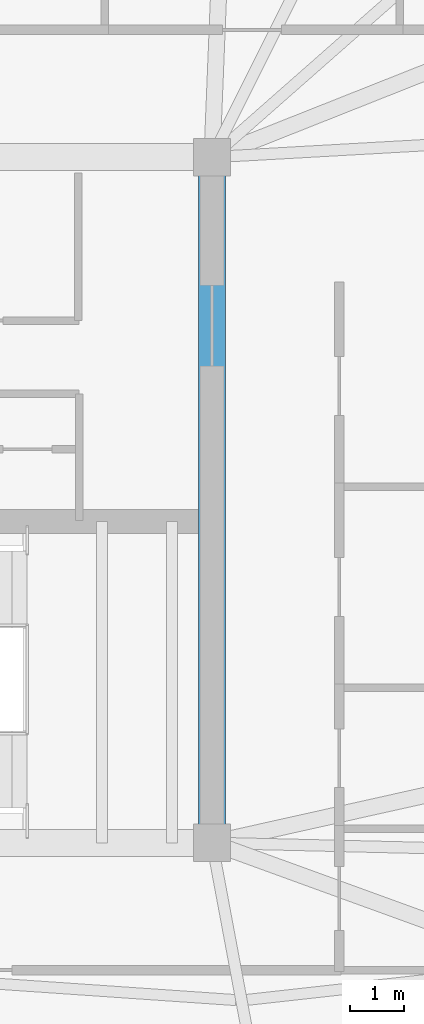
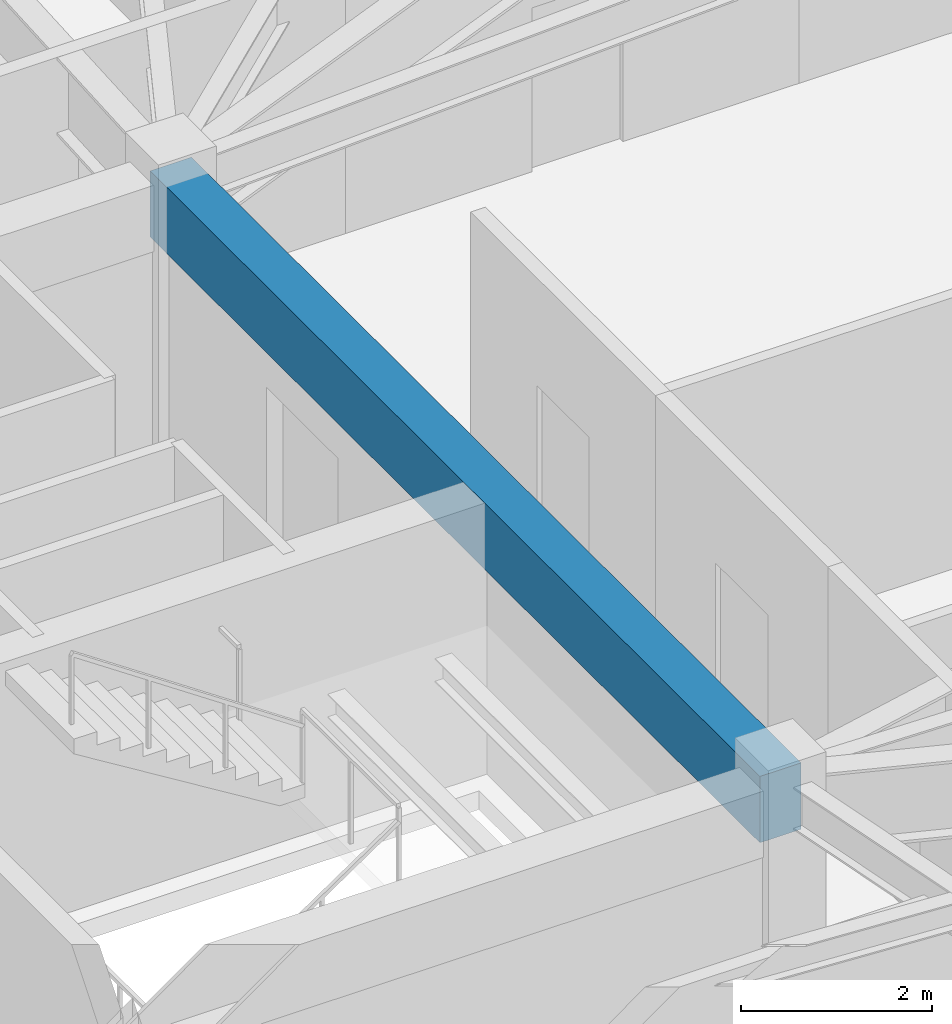
# One storey, part 8 of 29: 1 beam.
"""IFC4 building model written with IfcOpenShell, lengths in metres."""

from ifc_helpers import new_model, si_unit, direction, frame, origin, origin_2d, place, context, subcontext, project, spatial, rectangle, extrude, material, material_profile, profile_set, type_object, element, save


model = new_model("IFC4")

# Units and contexts
model_context = context("Model", 3, precision=1e-05, world=origin(), true_north=direction((0.0, 1.0)))
body_context = subcontext(model_context, "Body", "Model", "MODEL_VIEW")
ifc_project = project(units=[si_unit("LENGTHUNIT", "METRE"), si_unit("AREAUNIT", "SQUARE_METRE"), si_unit("VOLUMEUNIT", "CUBIC_METRE"), si_unit("PLANEANGLEUNIT", "RADIAN"), si_unit("MASSUNIT", "GRAM", prefix="KILO")], contexts=[model_context])

# Site, building, storey
site_placement = place(None, origin())
site = spatial("IfcSite", under=ifc_project, at=site_placement, CompositionType="ELEMENT")
building_placement = place(site_placement, origin())
building = spatial("IfcBuilding", under=site, at=building_placement, Name="Kazevale Care Tower and Concert Hall", CompositionType="ELEMENT")
storey_placement = place(building_placement, frame((0.0, 0.0, 289.0)))
storey = spatial("IfcBuildingStorey", under=building, at=storey_placement, Name="L76", CompositionType="ELEMENT", Elevation=289.0)

# Beam
ifc_material = material(Name="Concrete C60", Category="concrete")
ifc_material_profile = material_profile(ifc_material, rectangle(XDim=0.5, YDim=0.85009765625, at=origin_2d()), Name="RC-B500x850")
ifc_profile_set = profile_set([ifc_material_profile], Name="Concrete C60")
beam_type = type_object("IfcBeamType", Name="Core Coupling Beam RC500x850", PredefinedType="LINTEL", material=ifc_profile_set)
beam_placement = place(storey_placement, frame((44.0, 23.60009765625, 3.054931640625), z_axis=(0.0, 1.0, 0.0), x_axis=(-1.0, 0.0, 0.0)))
element("IfcBeam", 1, at=beam_placement, inside=storey, type_object=beam_type, Name="beam:L76:coretie:4", PredefinedType="LINTEL", context=body_context, shape_type="SweptSolid", body=[
    extrude(rectangle(XDim=0.5, YDim=0.85009765625, at=origin_2d()), origin(), (0.0, 0.0, 1.0), 12.7998046875),
])

save(model, "model.ifc")
